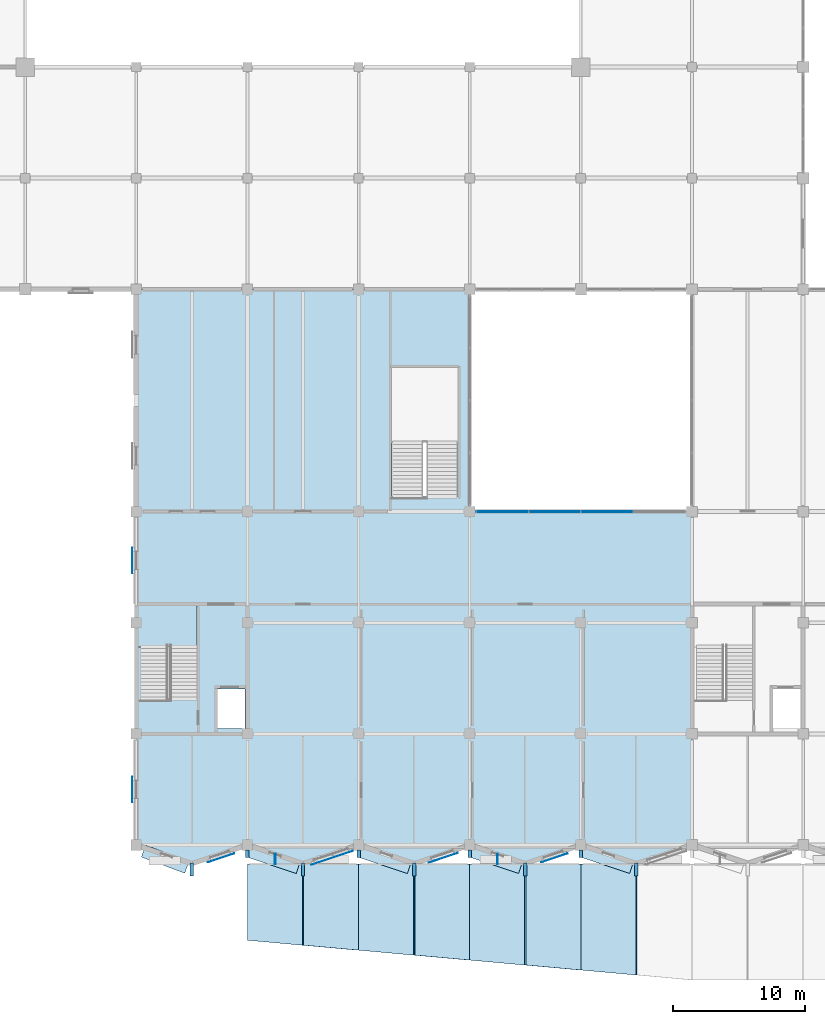
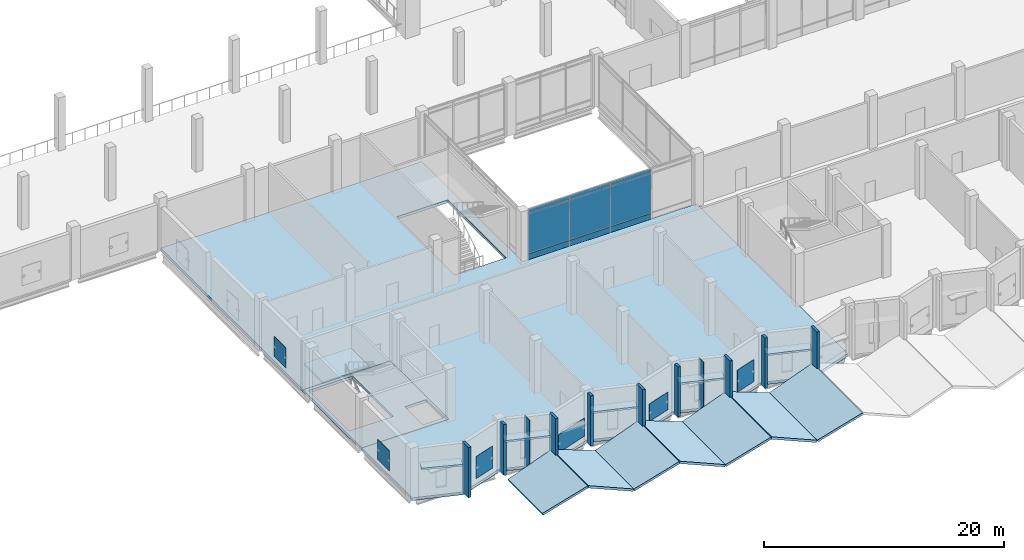
# One storey, part 33 of 72: 31 plates, 10 slabs, 2 elements without a shape of their own.
"""IFC4 building model written with IfcOpenShell, lengths in metres."""

from ifc_helpers import new_model, si_unit, direction, frame, frame_2d, origin, place, context, subcontext, project, spatial, polyline, rectangle, outline, extrude, material, layer, layer_set, type_object, element, aggregate, save


model = new_model("IFC4")

# Units and contexts
model_context = context("Model", 3, precision=1e-05, world=origin(), true_north=direction((0.0, 1.0)))
body_context = subcontext(model_context, "Body", "Model", "MODEL_VIEW")
ifc_project = project(units=[si_unit("LENGTHUNIT", "METRE"), si_unit("AREAUNIT", "SQUARE_METRE"), si_unit("VOLUMEUNIT", "CUBIC_METRE"), si_unit("PLANEANGLEUNIT", "RADIAN"), si_unit("MASSUNIT", "GRAM", prefix="KILO")], contexts=[model_context])

# Site, building, storey
site_placement = place(None, origin())
site = spatial("IfcSite", under=ifc_project, at=site_placement, CompositionType="ELEMENT")
building_placement = place(site_placement, origin())
building = spatial("IfcBuilding", under=site, at=building_placement, Name="Qawsi Khor Wholesale Market", CompositionType="ELEMENT")
storey_placement = place(building_placement, frame((0.0, 0.0, 6.0)))
storey = spatial("IfcBuildingStorey", under=building, at=storey_placement, Name="L01", CompositionType="ELEMENT", Elevation=6.0)

# Slabs
ifc_material_1 = material(Name="Concrete C40/50", Category="concrete")
ifc_layer_1 = layer(ifc_material_1, 0.22998046875, Name="Concrete C40/50")
ifc_layer_set_1 = layer_set([ifc_layer_1], Name="Concrete C40/50")
slab_type_1 = type_object("IfcSlabType", Name="Folded Concrete Canopy Slab 230 C40/50", PredefinedType="ROOF", material=ifc_layer_set_1)
slab_1_placement = place(storey_placement, frame((33.60009765625, -7.199951171875, -0.14990234375), z_axis=(-0.353447602704, 0.0, 0.935454323921), x_axis=(0.932137757173, -0.084132306676, 0.352194486933)))
element("IfcSlab", 1, at=slab_1_placement, inside=storey, type_object=slab_type_1, Name="Boulevard Origami Canopy Facet 04A", PredefinedType="ROOF", context=body_context, shape_type="SweptSolid", body=[
    extrude(outline(polyline([(0.0, 0.0), (4.457265167383402, 4.163336342344337e-17), (3.9419547889909126, 6.103284379243769), (-0.4837607633888669, 5.729613907045171), (0.0, 0.0)])), origin(), (0.0, 0.0, -1.0), 0.22998046875),
])
slab_2_placement = place(storey_placement, frame((37.844970703125, -7.574951171875, 1.419921875), z_axis=(0.353429429104, 0.0, 0.935461190346), x_axis=(0.932144938499, -0.084128011372, -0.352176505937)))
element("IfcSlab", 2, at=slab_2_placement, inside=storey, type_object=slab_type_1, Name="Boulevard Origami Canopy Facet 04B", PredefinedType="ROOF", context=body_context, shape_type="SweptSolid", body=[
    extrude(outline(polyline([(0.0, 0.0), (4.457492740954674, 0.0), (3.910660667039068, 6.476957208669605), (-0.5152840696512435, 6.103286600477127), (0.0, 0.0)])), origin(), (0.0, 0.0, -1.0), 0.22998046875),
])
slab_3_placement = place(storey_placement, frame((42.0, -7.949951171875, -0.14990234375), z_axis=(-0.353429429104, 0.0, 0.935461190346), x_axis=(0.932144938499, -0.084128011372, 0.352176505937)))
element("IfcSlab", 3, at=slab_3_placement, inside=storey, type_object=slab_type_1, Name="Boulevard Origami Canopy Facet 05A", PredefinedType="ROOF", context=body_context, shape_type="SweptSolid", body=[
    extrude(outline(polyline([(0.0, 0.0), (4.457492740954674, 0.0), (3.8791126627747063, 6.850627816862082), (-0.5468320739156053, 6.476957208669605), (0.0, 0.0)])), origin(), (0.0, 0.0, -1.0), 0.22998046875),
])
slab_4_placement = place(storey_placement, frame((46.2451171875, -8.324951171875, 1.419921875), z_axis=(0.353447602704, 0.0, 0.935454323921), x_axis=(0.932137757173, -0.084132306676, -0.352194486933)))
element("IfcSlab", 4, at=slab_4_placement, inside=storey, type_object=slab_type_1, Name="Boulevard Origami Canopy Facet 05B", PredefinedType="ROOF", context=body_context, shape_type="SweptSolid", body=[
    extrude(outline(polyline([(0.0, 0.0), (4.457265167383402, 4.163336342344337e-17), (3.8473059439800474, 7.224295795839563), (-0.5784096083997322, 6.850625323640965), (0.0, 0.0)])), origin(), (0.0, 0.0, -1.0), 0.22998046875),
])
slab_5_placement = place(storey_placement, frame((50.39990234375, -8.699951171875, -0.14990234375), z_axis=(-0.353429429104, 0.0, 0.935461190346), x_axis=(0.932144938499, -0.084128011372, 0.352176505937)))
element("IfcSlab", 5, at=slab_5_placement, inside=storey, type_object=slab_type_1, Name="Boulevard Origami Canopy Facet 06A", PredefinedType="ROOF", context=body_context, shape_type="SweptSolid", body=[
    extrude(outline(polyline([(0.0, 0.0), (4.457492740954674, 6.938893903907228e-18), (3.8160166542459826, 7.597969033247037), (-0.6099280824443291, 7.22429842505456), (0.0, 0.0)])), origin(), (0.0, 0.0, -1.0), 0.22998046875),
])
slab_6_placement = place(storey_placement, frame((54.64501953125, -9.074951171875, 1.419921875), z_axis=(0.353429429104, 0.0, 0.935461190346), x_axis=(0.932144938499, -0.084128011372, -0.352176505937)))
element("IfcSlab", 6, at=slab_6_placement, inside=storey, type_object=slab_type_1, Name="Boulevard Origami Canopy Facet 06B", PredefinedType="ROOF", context=body_context, shape_type="SweptSolid", body=[
    extrude(outline(polyline([(0.0, 0.0), (4.457492740954674, 0.0), (3.784468649981621, 7.971639641439514), (-0.6414760867086908, 7.597969033247036), (0.0, 0.0)])), origin(), (0.0, 0.0, -1.0), 0.22998046875),
])
slab_7_placement = place(storey_placement, frame((58.800048828125, -9.449951171875, -0.14990234375), z_axis=(-0.353429429104, 0.0, 0.935461190346), x_axis=(0.932144938499, -0.084128011372, 0.352176505937)))
element("IfcSlab", 7, at=slab_7_placement, inside=storey, type_object=slab_type_1, Name="Boulevard Origami Canopy Facet 07A", PredefinedType="ROOF", context=body_context, shape_type="SweptSolid", body=[
    extrude(outline(polyline([(0.0, 0.0), (4.457492740954674, 6.938893903907228e-18), (3.7529206457172593, 8.345310249631993), (-0.6730240909730527, 7.9716396414395145), (0.0, 0.0)])), origin(), (0.0, 0.0, -1.0), 0.22998046875),
])

# Curtain wall, plates
ifc_material_2 = material(Name="Aluminium Anodised Bronze", Category="aluminium")
ifc_layer_2 = layer(ifc_material_2, 0.179931640625, Name="Aluminium Anodised Bronze")
ifc_layer_set_2 = layer_set([ifc_layer_2], Name="Aluminium Anodised Bronze")
curtain_wall_type = type_object("IfcCurtainWallType", Name="Atrium Full-Height Curtain Wall CW-02", PredefinedType="NOTDEFINED", material=ifc_layer_set_2)
curtain_wall_placement = place(storey_placement, origin())
curtain_wall = element("IfcCurtainWall", 8, at=curtain_wall_placement, inside=storey, type_object=curtain_wall_type, Name="Curtain wall CW-CW-02-L01-016", PredefinedType="NOTDEFINED")
ifc_material_3 = material(Name="Anodised Aluminium Spandrel", Category="aluminium")
ifc_layer_3 = layer(ifc_material_3, 0.06494140625, Name="Anodised Aluminium Spandrel")
ifc_layer_set_3 = layer_set([ifc_layer_3], Name="Anodised Aluminium Spandrel")
plate_type_1 = type_object("IfcPlateType", Name="Insulated Spandrel Panel CW-02 65mm", PredefinedType="CURTAIN_PANEL", material=ifc_layer_set_3)
plate_1_placement = place(storey_placement, frame((50.89501953125, 25.199951171875, 0.0048828125), z_axis=(0.0, 0.0, 1.0), x_axis=(1.0, 0.0, 0.0)))
plate_1 = element("IfcPlate", 9, at=plate_1_placement, type_object=plate_type_1, Name="Curtain panel CW-CW-02-L01-016-P0_00", PredefinedType="CURTAIN_PANEL", context=body_context, shape_type="SweptSolid", body=[
    extrude(rectangle(XDim=3.952392578125, YDim=0.06494140625, at=frame_2d((1.97607421875, 0.0))), origin(), (0.0, 0.0, 1.0), 0.590087890625),
])
plate_2_placement = place(storey_placement, frame((54.847412109375, 25.199951171875, 0.0048828125), z_axis=(0.0, 0.0, 1.0), x_axis=(1.0, 0.0, 0.0)))
plate_2 = element("IfcPlate", 10, at=plate_2_placement, type_object=plate_type_1, Name="Curtain panel CW-CW-02-L01-016-P0_01", PredefinedType="CURTAIN_PANEL", context=body_context, shape_type="SweptSolid", body=[
    extrude(rectangle(XDim=3.95263671875, YDim=0.06494140625, at=frame_2d((1.976318359375, 0.0))), origin(), (0.0, 0.0, 1.0), 0.590087890625),
])
plate_3_placement = place(storey_placement, frame((58.800048828125, 25.199951171875, 0.0048828125), z_axis=(0.0, 0.0, 1.0), x_axis=(1.0, 0.0, 0.0)))
plate_3 = element("IfcPlate", 11, at=plate_3_placement, type_object=plate_type_1, Name="Curtain panel CW-CW-02-L01-016-P0_02", PredefinedType="CURTAIN_PANEL", context=body_context, shape_type="SweptSolid", body=[
    extrude(rectangle(XDim=3.952392578125, YDim=0.06494140625, at=frame_2d((1.97607421875, 0.0))), origin(), (0.0, 0.0, 1.0), 0.590087890625),
])

# Plates
ifc_material_4 = material(Name="Perforated Bronze-Anodised Aluminium", Category="aluminium")
ifc_layer_4 = layer(ifc_material_4, 0.014892578125, Name="Perforated Bronze-Anodised Aluminium")
ifc_layer_set_4 = layer_set([ifc_layer_4], Name="Perforated Bronze-Anodised Aluminium")
plate_type_2 = type_object("IfcPlateType", Name="Perforated Bronze Mashrabiya Screen 15mm", PredefinedType="SHEET", material=ifc_layer_set_4)
plate_4_placement = place(storey_placement, frame((32.5869140625, -0.63818359375, 0.85009765625), z_axis=(0.0, 0.0, 1.0), x_axis=(-0.948694922148, -0.316192891587, 0.0)))
element("IfcPlate", 12, at=plate_4_placement, inside=storey, type_object=plate_type_2, Name="Solar mashrabiya screen 001", PredefinedType="SHEET", context=body_context, shape_type="SweptSolid", body=[
    extrude(rectangle(XDim=2.10009765625, YDim=0.014892578125, at=frame_2d((1.050048828125, 0.0))), origin(), (0.0, 0.0, 1.0), 2.25),
])
plate_5_placement = place(storey_placement, frame((41.555908203125, -0.448486328125, 0.85009765625), z_axis=(0.0, 0.0, 1.0), x_axis=(-0.948690696143, -0.316205570874, 0.0)))
element("IfcPlate", 13, at=plate_5_placement, inside=storey, type_object=plate_type_2, Name="Solar mashrabiya screen 002", PredefinedType="SHEET", context=body_context, shape_type="SweptSolid", body=[
    extrude(rectangle(XDim=3.300048828125, YDim=0.014892578125, at=frame_2d((1.64990234375, 0.0))), origin(), (0.0, 0.0, 1.0), 1.849853515625),
])
plate_6_placement = place(storey_placement, frame((49.4912109375, -0.603515625, 0.85009765625), z_axis=(0.0, 0.0, 1.0), x_axis=(-0.948714864533, -0.31613305081, 0.0)))
element("IfcPlate", 14, at=plate_6_placement, inside=storey, type_object=plate_type_2, Name="Solar mashrabiya screen 003", PredefinedType="SHEET", context=body_context, shape_type="SweptSolid", body=[
    extrude(rectangle(XDim=2.31982421875, YDim=0.014892578125, at=frame_2d((1.159912109375, 0.0))), origin(), (0.0, 0.0, 1.0), 1.7998046875),
])
plate_7_placement = place(storey_placement, frame((57.786865234375, -0.63818359375, 0.85009765625), z_axis=(0.0, 0.0, 1.0), x_axis=(-0.948683298051, -0.316227766017, 0.0)))
element("IfcPlate", 15, at=plate_7_placement, inside=storey, type_object=plate_type_2, Name="Solar mashrabiya screen 004", PredefinedType="SHEET", context=body_context, shape_type="SweptSolid", body=[
    extrude(rectangle(XDim=2.099853515625, YDim=0.014892578125, at=frame_2d((1.0498046875, 0.0))), origin(), (0.0, 0.0, 1.0), 2.25),
])
ifc_layer_5 = layer(ifc_material_4, 0.02001953125, Name="Perforated Bronze-Anodised Aluminium")
ifc_layer_set_5 = layer_set([ifc_layer_5], Name="Perforated Bronze-Anodised Aluminium")
plate_type_3 = type_object("IfcPlateType", Name="Perforated Bronze Mashrabiya Screen 20mm", PredefinedType="SHEET", material=ifc_layer_set_5)
plate_8_placement = place(storey_placement, frame((24.885009765625, 3.22509765625, 0.89990234375), z_axis=(0.0, 0.0, 1.0), x_axis=(0.0, 1.0, 0.0)))
element("IfcPlate", 16, at=plate_8_placement, inside=storey, type_object=plate_type_3, Name="Solar mashrabiya screen 056", PredefinedType="SHEET", context=body_context, shape_type="SweptSolid", body=[
    extrude(rectangle(XDim=1.949951171875, YDim=0.02001953125, at=frame_2d((0.97509765625, 0.0))), origin(), (0.0, 0.0, 1.0), 2.050048828125),
])
plate_9_placement = place(storey_placement, frame((24.885009765625, 20.52490234375, 0.89990234375), z_axis=(0.0, 0.0, 1.0), x_axis=(0.0, 1.0, 0.0)))
element("IfcPlate", 17, at=plate_9_placement, inside=storey, type_object=plate_type_3, Name="Solar mashrabiya screen 057", PredefinedType="SHEET", context=body_context, shape_type="SweptSolid", body=[
    extrude(rectangle(XDim=1.9501953125, YDim=0.02001953125, at=frame_2d((0.97509765625, 0.0))), origin(), (0.0, 0.0, 1.0), 2.050048828125),
])
ifc_layer_6 = layer(ifc_material_1, 0.260009765625, Name="Concrete C40/50")
ifc_layer_set_6 = layer_set([ifc_layer_6], Name="Concrete C40/50")
plate_type_4 = type_object("IfcPlateType", Name="Sculpted Concrete Solar Buttress Fin 260", PredefinedType="SHEET", material=ifc_layer_set_6)
plate_10_placement = place(storey_placement, frame((29.39990234375, -2.35009765625, 0.0), z_axis=(0.0, 0.0, 1.0), x_axis=(0.0, 1.0, 0.0)))
element("IfcPlate", 18, at=plate_10_placement, inside=storey, type_object=plate_type_4, Name="Boulevard concrete solar buttress fin L01-01", PredefinedType="SHEET", context=body_context, shape_type="SweptSolid", body=[
    extrude(rectangle(XDim=1.0, YDim=0.260009765625, at=frame_2d((0.5, 0.0))), origin(), (0.0, 0.0, 1.0), 5.1201171875),
])
plate_11_placement = place(storey_placement, frame((33.60009765625, -0.949951171875, 0.0), z_axis=(0.0, 0.0, 1.0), x_axis=(0.0, 1.0, 0.0)))
element("IfcPlate", 19, at=plate_11_placement, inside=storey, type_object=plate_type_4, Name="Boulevard concrete solar buttress fin L01-02", PredefinedType="SHEET", context=body_context, shape_type="SweptSolid", body=[
    extrude(rectangle(XDim=0.570068359375, YDim=0.260009765625, at=frame_2d((0.28515625, 0.0))), origin(), (0.0, 0.0, 1.0), 5.1201171875),
])
plate_12_placement = place(storey_placement, frame((37.800048828125, -2.35009765625, 0.0), z_axis=(0.0, 0.0, 1.0), x_axis=(0.0, 1.0, 0.0)))
element("IfcPlate", 20, at=plate_12_placement, inside=storey, type_object=plate_type_4, Name="Boulevard concrete solar buttress fin L01-03", PredefinedType="SHEET", context=body_context, shape_type="SweptSolid", body=[
    extrude(rectangle(XDim=1.0, YDim=0.260009765625, at=frame_2d((0.5, 0.0))), origin(), (0.0, 0.0, 1.0), 5.1201171875),
])
plate_13_placement = place(storey_placement, frame((42.0, -0.949951171875, 0.0), z_axis=(0.0, 0.0, 1.0), x_axis=(0.0, 1.0, 0.0)))
element("IfcPlate", 21, at=plate_13_placement, inside=storey, type_object=plate_type_4, Name="Boulevard concrete solar buttress fin L01-04", PredefinedType="SHEET", context=body_context, shape_type="SweptSolid", body=[
    extrude(rectangle(XDim=0.570068359375, YDim=0.260009765625, at=frame_2d((0.28515625, 0.0))), origin(), (0.0, 0.0, 1.0), 5.1201171875),
])
plate_14_placement = place(storey_placement, frame((46.199951171875, -2.35009765625, 0.0), z_axis=(0.0, 0.0, 1.0), x_axis=(0.0, 1.0, 0.0)))
element("IfcPlate", 22, at=plate_14_placement, inside=storey, type_object=plate_type_4, Name="Boulevard concrete solar buttress fin L01-05", PredefinedType="SHEET", context=body_context, shape_type="SweptSolid", body=[
    extrude(rectangle(XDim=1.0, YDim=0.260009765625, at=frame_2d((0.5, 0.0))), origin(), (0.0, 0.0, 1.0), 5.1201171875),
])
plate_15_placement = place(storey_placement, frame((50.39990234375, -0.949951171875, 0.0), z_axis=(0.0, 0.0, 1.0), x_axis=(0.0, 1.0, 0.0)))
element("IfcPlate", 23, at=plate_15_placement, inside=storey, type_object=plate_type_4, Name="Boulevard concrete solar buttress fin L01-06", PredefinedType="SHEET", context=body_context, shape_type="SweptSolid", body=[
    extrude(rectangle(XDim=0.570068359375, YDim=0.260009765625, at=frame_2d((0.28515625, 0.0))), origin(), (0.0, 0.0, 1.0), 5.1201171875),
])
plate_16_placement = place(storey_placement, frame((54.60009765625, -2.35009765625, 0.0), z_axis=(0.0, 0.0, 1.0), x_axis=(0.0, 1.0, 0.0)))
element("IfcPlate", 24, at=plate_16_placement, inside=storey, type_object=plate_type_4, Name="Boulevard concrete solar buttress fin L01-07", PredefinedType="SHEET", context=body_context, shape_type="SweptSolid", body=[
    extrude(rectangle(XDim=1.0, YDim=0.260009765625, at=frame_2d((0.5, 0.0))), origin(), (0.0, 0.0, 1.0), 5.1201171875),
])
plate_17_placement = place(storey_placement, frame((58.800048828125, -0.949951171875, 0.0), z_axis=(0.0, 0.0, 1.0), x_axis=(0.0, 1.0, 0.0)))
element("IfcPlate", 25, at=plate_17_placement, inside=storey, type_object=plate_type_4, Name="Boulevard concrete solar buttress fin L01-08", PredefinedType="SHEET", context=body_context, shape_type="SweptSolid", body=[
    extrude(rectangle(XDim=0.570068359375, YDim=0.260009765625, at=frame_2d((0.28515625, 0.0))), origin(), (0.0, 0.0, 1.0), 5.1201171875),
])
plate_18_placement = place(storey_placement, frame((63.0, -2.35009765625, 0.0), z_axis=(0.0, 0.0, 1.0), x_axis=(0.0, 1.0, 0.0)))
element("IfcPlate", 26, at=plate_18_placement, inside=storey, type_object=plate_type_4, Name="Boulevard concrete solar buttress fin L01-09", PredefinedType="SHEET", context=body_context, shape_type="SweptSolid", body=[
    extrude(rectangle(XDim=1.0, YDim=0.260009765625, at=frame_2d((0.5, 0.0))), origin(), (0.0, 0.0, 1.0), 5.1201171875),
])
ifc_layer_7 = layer(ifc_material_1, 0.949951171875, Name="Concrete C40/50")
ifc_layer_set_7 = layer_set([ifc_layer_7], Name="Concrete C40/50")
plate_type_5 = type_object("IfcPlateType", Name="Sculpted Concrete Sun-Hood Canopy 950", PredefinedType="SHEET", material=ifc_layer_set_7)
plate_19_placement = place(storey_placement, frame((25.744384765625, -0.462158203125, 3.25), z_axis=(0.0, 0.0, 1.0), x_axis=(0.936840905705, -0.349755796803, 0.0)))
element("IfcPlate", 27, at=plate_19_placement, inside=storey, type_object=plate_type_5, Name="Sculpted concrete sun-hood L01-01", PredefinedType="SHEET", context=body_context, shape_type="SweptSolid", body=[
    extrude(rectangle(XDim=3.502685546875, YDim=0.949951171875, at=frame_2d((1.75146484375, 0.0))), origin(), (0.0, 0.0, 1.0), 0.18994140625),
])
for number, where, z_axis, x_axis, name in (
    (28, (33.710693359375, -0.45849609375, 3.25), (0.0, 0.0, 1.0), (0.94867708111, -0.316246416226, 0.0), "Sculpted concrete sun-hood L01-03"),
    (29, (42.110595703125, -0.45849609375, 3.25), (0.0, 0.0, 1.0), (0.94867708111, -0.316246416226, 0.0), "Sculpted concrete sun-hood L01-05"),
    (30, (50.5107421875, -0.45849609375, 3.25), (0.0, 0.0, 1.0), (0.94867708111, -0.316246416226, 0.0), "Sculpted concrete sun-hood L01-07"),
    (31, (58.91064453125, -0.45849609375, 3.25), (0.0, 0.0, 1.0), (0.94867708111, -0.316246416226, 0.0), "Sculpted concrete sun-hood L01-09"),
):
    element("IfcPlate", number, at=place(storey_placement, frame(where, z_axis=z_axis, x_axis=x_axis)), inside=storey, type_object=plate_type_5, Name=name, PredefinedType="SHEET", context=body_context, shape_type="SweptSolid", body=[
        extrude(rectangle(XDim=3.92724609375, YDim=0.949951171875, at=frame_2d((1.963623046875, 0.0))), origin(), (0.0, 0.0, 1.0), 0.18994140625),
    ])

# Plate
ifc_material_5 = material(Name="Tempered Low-E Solar Glass", Category="glass")
ifc_layer_8 = layer(ifc_material_5, 0.031982421875, Name="Tempered Low-E Solar Glass")
ifc_layer_set_8 = layer_set([ifc_layer_8], Name="Tempered Low-E Solar Glass")
plate_type_6 = type_object("IfcPlateType", Name="Solar Double-Glazed Unit CW-02 32mm", PredefinedType="CURTAIN_PANEL", material=ifc_layer_set_8)
plate_20_placement = place(storey_placement, frame((50.89501953125, 25.199951171875, 0.60498046875), z_axis=(0.0, 0.0, 1.0), x_axis=(1.0, 0.0, 0.0)))
plate_20 = element("IfcPlate", 32, at=plate_20_placement, type_object=plate_type_6, Name="Curtain panel CW-CW-02-L01-016-P1_00", PredefinedType="CURTAIN_PANEL", context=body_context, shape_type="SweptSolid", body=[
    extrude(rectangle(XDim=3.952392578125, YDim=0.031982421875, at=frame_2d((1.97607421875, 0.0))), origin(), (0.0, 0.0, 1.0), 4.06005859375),
])

plate_21_placement = place(storey_placement, frame((54.847412109375, 25.199951171875, 0.60498046875), z_axis=(0.0, 0.0, 1.0), x_axis=(1.0, 0.0, 0.0)))
plate_21 = element("IfcPlate", 33, at=plate_21_placement, type_object=plate_type_6, Name="Curtain panel CW-CW-02-L01-016-P1_01", PredefinedType="CURTAIN_PANEL", context=body_context, shape_type="SweptSolid", body=[
    extrude(rectangle(XDim=3.95263671875, YDim=0.031982421875, at=frame_2d((1.976318359375, 0.0))), origin(), (0.0, 0.0, 1.0), 4.06005859375),
])

plate_22_placement = place(storey_placement, frame((58.800048828125, 25.199951171875, 0.60498046875), z_axis=(0.0, 0.0, 1.0), x_axis=(1.0, 0.0, 0.0)))
plate_22 = element("IfcPlate", 34, at=plate_22_placement, type_object=plate_type_6, Name="Curtain panel CW-CW-02-L01-016-P1_02", PredefinedType="CURTAIN_PANEL", context=body_context, shape_type="SweptSolid", body=[
    extrude(rectangle(XDim=3.952392578125, YDim=0.031982421875, at=frame_2d((1.97607421875, 0.0))), origin(), (0.0, 0.0, 1.0), 4.06005859375),
])

plate_23_placement = place(storey_placement, frame((50.89501953125, 25.199951171875, 4.675048828125), z_axis=(0.0, 0.0, 1.0), x_axis=(1.0, 0.0, 0.0)))
plate_23 = element("IfcPlate", 35, at=plate_23_placement, type_object=plate_type_6, Name="Curtain panel CW-CW-02-L01-016-P2_00", PredefinedType="CURTAIN_PANEL", context=body_context, shape_type="SweptSolid", body=[
    extrude(rectangle(XDim=3.952392578125, YDim=0.031982421875, at=frame_2d((1.97607421875, 0.0))), origin(), (0.0, 0.0, 1.0), 0.43994140625),
])

plate_24_placement = place(storey_placement, frame((54.847412109375, 25.199951171875, 4.675048828125), z_axis=(0.0, 0.0, 1.0), x_axis=(1.0, 0.0, 0.0)))
plate_24 = element("IfcPlate", 36, at=plate_24_placement, type_object=plate_type_6, Name="Curtain panel CW-CW-02-L01-016-P2_01", PredefinedType="CURTAIN_PANEL", context=body_context, shape_type="SweptSolid", body=[
    extrude(rectangle(XDim=3.95263671875, YDim=0.031982421875, at=frame_2d((1.976318359375, 0.0))), origin(), (0.0, 0.0, 1.0), 0.43994140625),
])

plate_25_placement = place(storey_placement, frame((58.800048828125, 25.199951171875, 4.675048828125), z_axis=(0.0, 0.0, 1.0), x_axis=(1.0, 0.0, 0.0)))
plate_25 = element("IfcPlate", 37, at=plate_25_placement, type_object=plate_type_6, Name="Curtain panel CW-CW-02-L01-016-P2_02", PredefinedType="CURTAIN_PANEL", context=body_context, shape_type="SweptSolid", body=[
    extrude(rectangle(XDim=3.952392578125, YDim=0.031982421875, at=frame_2d((1.97607421875, 0.0))), origin(), (0.0, 0.0, 1.0), 0.43994140625),
])

aggregate(curtain_wall, [plate_1, plate_2, plate_3, plate_20, plate_21, plate_22, plate_23, plate_24, plate_25])

# Stair, slab
stair_type = type_object("IfcStairType", Name="Exit Stair L01-L02 5400 Rise", PredefinedType="HALF_TURN_STAIR", material=ifc_material_1)
stair_placement = place(storey_placement, origin())
stair = element("IfcStair", 38, at=stair_placement, inside=storey, type_object=stair_type, Name="Stair ST-01 L01", PredefinedType="HALF_TURN_STAIR")
ifc_layer_9 = layer(ifc_material_1, 0.179931640625, Name="Concrete C40/50")
ifc_layer_set_9 = layer_set([ifc_layer_9], Name="Concrete C40/50")
slab_type_2 = type_object("IfcSlabType", Name="Stair Half-Landing Slab 180 C40/50", PredefinedType="LANDING", material=ifc_layer_set_9)
slab_8_placement = place(storey_placement, frame((0.0, 0.0, 2.52001953125)))
slab_8 = element("IfcSlab", 39, at=slab_8_placement, type_object=slab_type_2, Name="ST-01-L01 landing 1", PredefinedType="LANDING", context=body_context, shape_type="SweptSolid", body=[
    extrude(outline(polyline([(25.25, 14.9599609375), (29.780029296875, 14.9599609375), (29.780029296875, 18.14990234375), (25.25, 18.14990234375), (25.25, 14.9599609375)])), origin(), (0.0, 0.0, 1.0), 0.179931640625),
])
aggregate(stair, [slab_8])

# Slabs
ifc_layer_10 = layer(ifc_material_1, 0.280029296875, Name="Concrete C40/50")
ifc_layer_set_10 = layer_set([ifc_layer_10], Name="Concrete C40/50")
slab_type_3 = type_object("IfcSlabType", Name="Suspended Floor Slab 280 C40/50", PredefinedType="FLOOR", material=ifc_layer_set_10)
slab_9_placement = place(storey_placement, frame((0.0, 0.0, -0.280029296875)))
element("IfcSlab", 40, at=slab_9_placement, inside=storey, type_object=slab_type_3, Name="Core floor slab L01 C01", PredefinedType="FLOOR", context=body_context, shape_type="SweptSolid", body=[
    extrude(outline(polyline([(25.199951171875, 18.199951171875), (33.60009765625, 18.199951171875), (33.60009765625, 8.39990234375), (25.199951171875, 8.39990234375), (25.199951171875, 18.199951171875)]), holes=[polyline([(31.320068359375, 8.800048828125), (33.39990234375, 8.800048828125), (33.39990234375, 11.800048828125), (31.320068359375, 11.800048828125), (31.320068359375, 8.800048828125)]), polyline([(25.5400390625, 11.080078125), (29.780029296875, 11.080078125), (29.780029296875, 17.860107421875), (25.5400390625, 17.860107421875), (25.5400390625, 11.080078125)])]), origin(), (0.0, 0.0, 1.0), 0.280029296875),
])
slab_10_placement = place(storey_placement, frame((0.0, 0.0, -0.280029296875)))
element("IfcSlab", 41, at=slab_10_placement, inside=storey, type_object=slab_type_3, Name="SLB-L01-SWING-1", PredefinedType="FLOOR", context=body_context, shape_type="SweptSolid", body=[
    extrude(outline(polyline([(25.199951171875, 8.39990234375), (33.60009765625, 8.39990234375), (33.60009765625, 18.199951171875), (25.199951171875, 18.199951171875), (25.199951171875, 42.0), (50.39990234375, 42.0), (50.39990234375, 25.199951171875), (67.199951171875, 25.199951171875), (67.199951171875, 18.199951171875), (67.199951171875, 8.39990234375), (67.199951171875, 0.0), (63.0, -1.39990234375), (58.800048828125, 0.0), (54.60009765625, -1.39990234375), (50.39990234375, 0.0), (46.199951171875, -1.39990234375), (42.0, 0.0), (37.800048828125, -1.39990234375), (33.60009765625, 0.0), (29.39990234375, -1.39990234375), (25.199951171875, 0.0), (25.199951171875, 8.39990234375)]), holes=[polyline([(49.47998046875, 26.360107421875), (49.47998046875, 36.080078125), (44.52001953125, 36.080078125), (44.52001953125, 26.360107421875), (49.47998046875, 26.360107421875)])]), origin(), (0.0, 0.0, 1.0), 0.280029296875),
])

# Plates
ifc_layer_11 = layer(ifc_material_4, 0.044921875, Name="Perforated Bronze-Anodised Aluminium")
ifc_layer_set_11 = layer_set([ifc_layer_11], Name="Perforated Bronze-Anodised Aluminium")
plate_type_7 = type_object("IfcPlateType", Name="Vertical Sculpted Sun-Fin Plate 45mm", PredefinedType="SHEET", material=ifc_layer_set_11)
for number, where, z_axis, x_axis, name in (
    (42, (35.699951171875, -1.449951171875, 0.0), (0.0, 0.0, 1.0), (0.0, 1.0, 0.0), "Sculpted vertical sun-fin L01-02"),
    (43, (52.5, -1.449951171875, 0.0), (0.0, 0.0, 1.0), (0.0, 1.0, 0.0), "Sculpted vertical sun-fin L01-06"),
):
    element("IfcPlate", number, at=place(storey_placement, frame(where, z_axis=z_axis, x_axis=x_axis)), inside=storey, type_object=plate_type_7, Name=name, PredefinedType="SHEET", context=body_context, shape_type="SweptSolid", body=[
        extrude(rectangle(XDim=0.800048828125, YDim=0.044921875, at=frame_2d((0.39990234375, 0.0))), origin(), (0.0, 0.0, 1.0), 5.1201171875),
    ])

save(model, "model.ifc")
